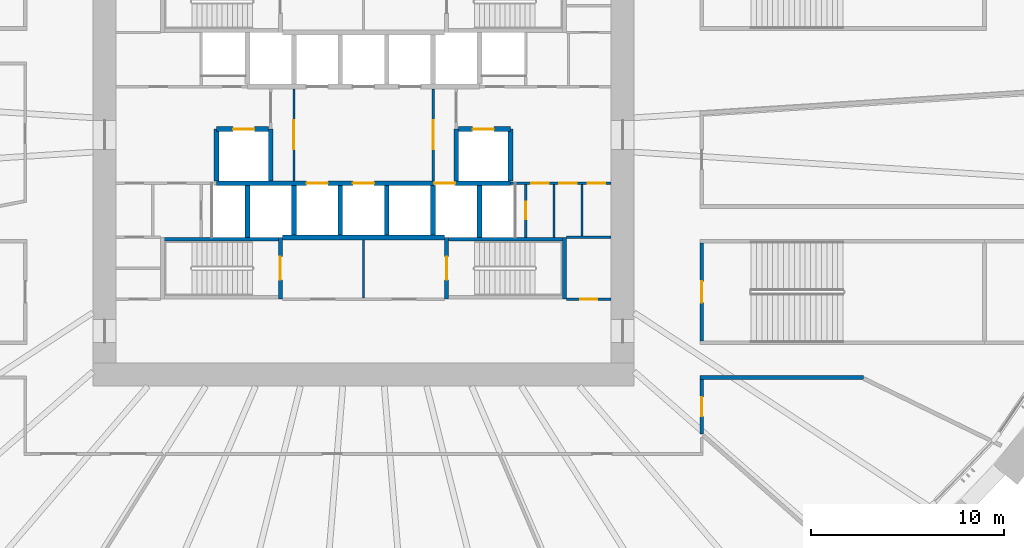
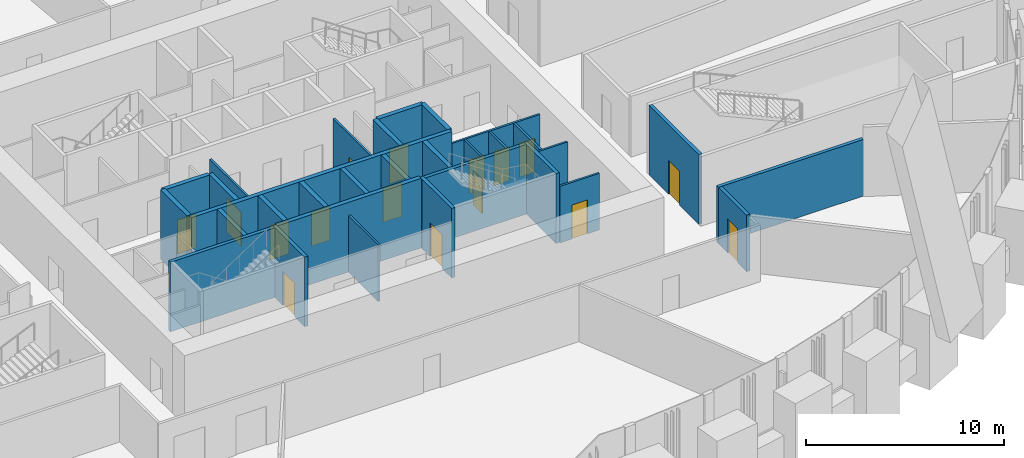
# One storey, part 7 of 21: 31 walls, 16 doors, 16 openings.
"""IFC4 building model written with IfcOpenShell, lengths in metres."""

from ifc_helpers import new_model, si_unit, direction, frame, frame_2d, origin, place, context, subcontext, project, spatial, rectangle, extrude, source, transform, mapped, material, layer, layer_set, type_object, element, fill, save


model = new_model("IFC4")

# Units and contexts
model_context = context("Model", 3, precision=1e-05, world=origin(), true_north=direction((0.0, 1.0)))
body_context = subcontext(model_context, "Body", "Model", "MODEL_VIEW")
ifc_project = project(units=[si_unit("LENGTHUNIT", "METRE"), si_unit("AREAUNIT", "SQUARE_METRE"), si_unit("VOLUMEUNIT", "CUBIC_METRE"), si_unit("PLANEANGLEUNIT", "RADIAN"), si_unit("MASSUNIT", "GRAM", prefix="KILO")], contexts=[model_context])

# Site, building, storey
site_placement = place(None, origin())
site = spatial("IfcSite", under=ifc_project, at=site_placement, CompositionType="ELEMENT")
building_placement = place(site_placement, origin())
building = spatial("IfcBuilding", under=site, at=building_placement, Name="Embergate Tower", CompositionType="ELEMENT")
storey_placement = place(building_placement, frame((0.0, 0.0, 33.5)))
storey = spatial("IfcBuildingStorey", under=building, at=storey_placement, Name="L04", CompositionType="ELEMENT", Elevation=33.5)

# Walls
ifc_material_1 = material(Name="Concrete C50", Category="concrete")
ifc_layer_1 = layer(ifc_material_1, 0.25)
ifc_layer_set_1 = layer_set([ifc_layer_1], Name="Concrete C50")
wall_type_1 = type_object("IfcWallType", Name="Hoistway wall reinforced concrete 250", PredefinedType="SHEAR", material=ifc_layer_set_1)
shared_shape_1 = source(origin(), body_context, "Body", "SweptSolid", [
    extrude(rectangle(XDim=2.675048828125, YDim=0.25, at=frame_2d((1.33740234375, 0.0))), origin(), (0.0, 0.0, 1.0), 4.300048828125),
])
for number, where, z_axis, x_axis, name in (
    (1, (-6.0, -5.300048828125, 0.0), (0.0, 0.0, 1.0), (0.0, 1.0, 0.0), "HW-1 wall"),
    (2, (6.0, -5.300048828125, 0.0), (0.0, 0.0, 1.0), (0.0, 1.0, 0.0), "HW-1 wall"),
    (3, (-4.800048828125, 0.300048828125, 0.0), (0.0, 0.0, 1.0), (0.0, -1.0, 0.0), "HW-1 wall"),
    (4, (4.800048828125, -2.375, 0.0), (0.0, 0.0, 1.0), (0.0, 1.0, 0.0), "HW-1 wall"),
):
    element("IfcWall", number, at=place(storey_placement, frame(where, z_axis=z_axis, x_axis=x_axis)), inside=storey, type_object=wall_type_1, Name=name, PredefinedType="SHEAR", context=body_context, shape_type="MappedRepresentation", body=[
        mapped(shared_shape_1, transform((0.0, 0.0, 0.0))),
    ])

# Wall, opening, door
wall_1_placement = place(storey_placement, frame((-4.925048828125, 0.300048828125, 0.0), z_axis=(0.0, 0.0, 1.0), x_axis=(-1.0, 0.0, 0.0)))
wall_1 = element("IfcWall", 5, at=wall_1_placement, inside=storey, type_object=wall_type_1, Name="HW-1 wall", PredefinedType="SHEAR", context=body_context, shape_type="MappedRepresentation", body=[
    mapped(shared_shape_1, transform((0.0, 0.0, 0.0))),
])
shared_shape_2 = source(origin(), body_context, "Body", "SweptSolid", [
    extrude(rectangle(XDim=1.10009765625, YDim=2.10009765625, at=frame_2d((0.550048828125, 1.050048828125))), frame((0.0, 0.135009765625, 0.0), z_axis=(0.0, -1.0, 0.0), x_axis=(1.0, 0.0, 0.0)), (0.0, 0.0, 1.0), 0.27001953125),
])
opening_1_placement = place(wall_1_placement, frame((0.72509765625, 0.0, 0.0)))
opening_1 = element("IfcOpeningElement", 6, at=opening_1_placement, cuts=wall_1, Name="Opening LD", PredefinedType="OPENING", context=body_context, shape_type="MappedRepresentation", body=[
    mapped(shared_shape_2, transform((0.0, 0.0, 0.0))),
])
ifc_material_2 = material(Name="Landing door sliding 1100")
door_type_1 = type_object("IfcDoorType", Name="Landing door sliding 1100", OperationType="SLIDING_TO_LEFT", PredefinedType="DOOR", material=ifc_material_2)
shared_shape_3 = source(origin(), body_context, "Body", "SweptSolid", [
    extrude(rectangle(XDim=1.10009765625, YDim=2.10009765625, at=frame_2d((0.550048828125, 1.050048828125))), frame((0.0, 0.02490234375, 0.0), z_axis=(0.0, -1.0, 0.0), x_axis=(1.0, 0.0, 0.0)), (0.0, 0.0, 1.0), 0.050048828125),
])
door_1_placement = place(opening_1_placement, origin())
door_1 = element("IfcDoor", 7, at=door_1_placement, inside=storey, type_object=door_type_1, Name="LD door", OperationType="SLIDING_TO_LEFT", OverallHeight=2.10009765625, OverallWidth=1.10009765625, PredefinedType="DOOR", context=body_context, shape_type="MappedRepresentation", body=[
    mapped(shared_shape_3, transform((0.0, 0.0, 0.0))),
])
fill(opening_1, door_1)

# Wall
wall_2_placement = place(storey_placement, frame((-7.60009765625, 0.300048828125, 0.0), z_axis=(0.0, 0.0, 1.0), x_axis=(0.0, -1.0, 0.0)))
element("IfcWall", 8, at=wall_2_placement, inside=storey, type_object=wall_type_1, Name="HW-1 wall", PredefinedType="SHEAR", context=body_context, shape_type="MappedRepresentation", body=[
    mapped(shared_shape_1, transform((0.0, 0.0, 0.0))),
])

# Wall, opening, door
wall_3_placement = place(storey_placement, frame((7.60009765625, 0.300048828125, 0.0), z_axis=(0.0, 0.0, 1.0), x_axis=(-1.0, 0.0, 0.0)))
wall_3 = element("IfcWall", 9, at=wall_3_placement, inside=storey, type_object=wall_type_1, Name="HW-1 wall", PredefinedType="SHEAR", context=body_context, shape_type="MappedRepresentation", body=[
    mapped(shared_shape_1, transform((0.0, 0.0, 0.0))),
])
opening_2_placement = place(wall_3_placement, frame((0.85009765625, 0.0, 0.0)))
opening_2 = element("IfcOpeningElement", 10, at=opening_2_placement, cuts=wall_3, Name="Opening LD", PredefinedType="OPENING", context=body_context, shape_type="MappedRepresentation", body=[
    mapped(shared_shape_2, transform((0.0, 0.0, 0.0))),
])
door_2_placement = place(opening_2_placement, origin())
door_2 = element("IfcDoor", 11, at=door_2_placement, inside=storey, type_object=door_type_1, Name="LD door", OperationType="SLIDING_TO_LEFT", OverallHeight=2.10009765625, OverallWidth=1.10009765625, PredefinedType="DOOR", context=body_context, shape_type="MappedRepresentation", body=[
    mapped(shared_shape_3, transform((0.0, 0.0, 0.0))),
])
fill(opening_2, door_2)

# Walls
wall_4_placement = place(storey_placement, frame((7.60009765625, -2.375, 0.0), z_axis=(0.0, 0.0, 1.0), x_axis=(0.0, 1.0, 0.0)))
element("IfcWall", 12, at=wall_4_placement, inside=storey, type_object=wall_type_1, Name="HW-1 wall", PredefinedType="SHEAR", context=body_context, shape_type="MappedRepresentation", body=[
    mapped(shared_shape_1, transform((0.0, 0.0, 0.0))),
])
ifc_layer_2 = layer(ifc_material_1, 0.199951171875)
ifc_layer_set_2 = layer_set([ifc_layer_2], Name="Concrete C50")
wall_type_2 = type_object("IfcWallType", Name="Stair enclosure wall reinforced concrete 250", PredefinedType="SHEAR", material=ifc_layer_set_2)
shared_shape_4 = source(origin(), body_context, "Body", "SweptSolid", [
    extrude(rectangle(XDim=6.300048828125, YDim=0.199951171875, at=frame_2d((3.14990234375, 0.0))), origin(), (0.0, 0.0, 1.0), 4.300048828125),
])
for number, where, z_axis, x_axis, name in (
    (13, (-10.5, -5.39990234375, 0.0), (0.0, 0.0, 1.0), (1.0, 0.0, 0.0), "SE-1 wall"),
    (14, (4.199951171875, -5.39990234375, 0.0), (0.0, 0.0, 1.0), (1.0, 0.0, 0.0), "SE-1 wall"),
):
    element("IfcWall", number, at=place(storey_placement, frame(where, z_axis=z_axis, x_axis=x_axis)), inside=storey, type_object=wall_type_2, Name=name, PredefinedType="SHEAR", context=body_context, shape_type="MappedRepresentation", body=[
        mapped(shared_shape_4, transform((0.0, 0.0, 0.0))),
    ])

# Wall, opening, door
ifc_material_3 = material(Name="Core partition blockwork 120")
ifc_layer_3 = layer(ifc_material_3, 0.1201171875)
ifc_layer_set_3 = layer_set([ifc_layer_3], Name="Core partition blockwork 120")
wall_type_3 = type_object("IfcWallType", Name="Core partition blockwork 120", PredefinedType="PARTITIONING", material=ifc_layer_set_3)
shared_shape_5 = source(origin(), body_context, "Body", "SweptSolid", [
    extrude(rectangle(XDim=2.739990234375, YDim=0.1201171875, at=frame_2d((1.3701171875, 0.0))), origin(), (0.0, 0.0, 1.0), 3.5),
])
wall_5_placement = place(storey_placement, frame((8.39990234375, -5.300048828125, 0.0), z_axis=(0.0, 0.0, 1.0), x_axis=(0.0, 1.0, 0.0)))
wall_5 = element("IfcWall", 15, at=wall_5_placement, inside=storey, type_object=wall_type_3, Name="IP-3 wall", PredefinedType="PARTITIONING", context=body_context, shape_type="MappedRepresentation", body=[
    mapped(shared_shape_5, transform((0.0, 0.0, 0.0))),
])
shared_shape_6 = source(origin(), body_context, "Body", "SweptSolid", [
    extrude(rectangle(XDim=0.89990234375, YDim=2.10009765625, at=frame_2d((0.449951171875, 1.050048828125))), frame((0.0, 0.070068359375, 0.0), z_axis=(0.0, -1.0, 0.0), x_axis=(1.0, 0.0, 0.0)), (0.0, 0.0, 1.0), 0.14013671875),
])
opening_3_placement = place(wall_5_placement, frame((0.949951171875, 0.0, 0.0)))
opening_3 = element("IfcOpeningElement", 16, at=opening_3_placement, cuts=wall_5, Name="Opening ID-1", PredefinedType="OPENING", context=body_context, shape_type="MappedRepresentation", body=[
    mapped(shared_shape_6, transform((0.0, 0.0, 0.0))),
])
ifc_material_4 = material(Name="Interior door 900")
door_type_2 = type_object("IfcDoorType", Name="Interior door 900", OperationType="SINGLE_SWING_LEFT", PredefinedType="DOOR", material=ifc_material_4)
shared_shape_7 = source(origin(), body_context, "Body", "SweptSolid", [
    extrude(rectangle(XDim=0.89990234375, YDim=2.10009765625, at=frame_2d((0.449951171875, 1.050048828125))), frame((0.0, 0.02490234375, 0.0), z_axis=(0.0, -1.0, 0.0), x_axis=(1.0, 0.0, 0.0)), (0.0, 0.0, 1.0), 0.050048828125),
])
door_3_placement = place(opening_3_placement, origin())
door_3 = element("IfcDoor", 17, at=door_3_placement, inside=storey, type_object=door_type_2, Name="ID-1 door", OperationType="SINGLE_SWING_RIGHT", OverallHeight=2.10009765625, OverallWidth=0.89990234375, PredefinedType="DOOR", context=body_context, shape_type="MappedRepresentation", body=[
    mapped(shared_shape_7, transform((0.0, 0.0, 0.0))),
])
fill(opening_3, door_3)

# Walls
wall_6_placement = place(storey_placement, frame((9.85205078125, -5.300048828125, 0.0), z_axis=(0.0, 0.0, 1.0), x_axis=(0.0, 1.0, 0.0)))
element("IfcWall", 18, at=wall_6_placement, inside=storey, type_object=wall_type_3, Name="IP-3 wall", PredefinedType="PARTITIONING", context=body_context, shape_type="MappedRepresentation", body=[
    mapped(shared_shape_5, transform((0.0, 0.0, 0.0))),
])
shared_shape_8 = source(origin(), body_context, "Body", "SweptSolid", [
    extrude(rectangle(XDim=2.550048828125, YDim=0.25, at=frame_2d((1.27490234375, 0.0))), origin(), (0.0, 0.0, 1.0), 4.300048828125),
])
for number, where, z_axis, x_axis, name in (
    (19, (-3.60009765625, -5.175048828125, 0.0), (0.0, 0.0, 1.0), (0.0, 1.0, 0.0), "HW-1 wall"),
    (20, (-1.199951171875, -5.175048828125, 0.0), (0.0, 0.0, 1.0), (0.0, 1.0, 0.0), "HW-1 wall"),
    (21, (1.199951171875, -5.175048828125, 0.0), (0.0, 0.0, 1.0), (0.0, 1.0, 0.0), "HW-1 wall"),
    (22, (3.60009765625, -5.175048828125, 0.0), (0.0, 0.0, 1.0), (0.0, 1.0, 0.0), "HW-1 wall"),
):
    element("IfcWall", number, at=place(storey_placement, frame(where, z_axis=z_axis, x_axis=x_axis)), inside=storey, type_object=wall_type_1, Name=name, PredefinedType="SHEAR", context=body_context, shape_type="MappedRepresentation", body=[
        mapped(shared_shape_8, transform((0.0, 0.0, 0.0))),
    ])
shared_shape_9 = source(origin(), body_context, "Body", "SweptSolid", [
    extrude(rectangle(XDim=8.39990234375, YDim=0.25, at=frame_2d((4.199951171875, 0.0))), origin(), (0.0, 0.0, 1.0), 4.300048828125),
])
wall_7_placement = place(storey_placement, frame((-4.199951171875, -5.300048828125, 0.0), z_axis=(0.0, 0.0, 1.0), x_axis=(1.0, 0.0, 0.0)))
element("IfcWall", 23, at=wall_7_placement, inside=storey, type_object=wall_type_1, Name="HW-1 wall", PredefinedType="SHEAR", context=body_context, shape_type="MappedRepresentation", body=[
    mapped(shared_shape_9, transform((0.0, 0.0, 0.0))),
])

# Wall, openings, doors
shared_shape_10 = source(origin(), body_context, "Body", "SweptSolid", [
    extrude(rectangle(XDim=15.2001953125, YDim=0.25, at=frame_2d((7.60009765625, 0.0))), origin(), (0.0, 0.0, 1.0), 4.300048828125),
])
wall_8_placement = place(storey_placement, frame((7.60009765625, -2.5, 0.0), z_axis=(0.0, 0.0, 1.0), x_axis=(-1.0, 0.0, 0.0)))
wall_8 = element("IfcWall", 24, at=wall_8_placement, inside=storey, type_object=wall_type_1, Name="HW-1 wall", PredefinedType="SHEAR", context=body_context, shape_type="MappedRepresentation", body=[
    mapped(shared_shape_10, transform((0.0, 0.0, 0.0))),
])
opening_4_placement = place(wall_8_placement, frame((9.449951171875, 0.0, 0.0)))
opening_4 = element("IfcOpeningElement", 25, at=opening_4_placement, cuts=wall_8, Name="Opening LD", PredefinedType="OPENING", context=body_context, shape_type="MappedRepresentation", body=[
    mapped(shared_shape_2, transform((0.0, 0.0, 0.0))),
])
opening_5_placement = place(wall_8_placement, frame((7.050048828125, 0.0, 0.0)))
opening_5 = element("IfcOpeningElement", 26, at=opening_5_placement, cuts=wall_8, Name="Opening LD", PredefinedType="OPENING", context=body_context, shape_type="MappedRepresentation", body=[
    mapped(shared_shape_2, transform((0.0, 0.0, 0.0))),
])
opening_6_placement = place(wall_8_placement, frame((2.85009765625, 0.0, 0.0)))
opening_6 = element("IfcOpeningElement", 27, at=opening_6_placement, cuts=wall_8, Name="Opening LD", PredefinedType="OPENING", context=body_context, shape_type="MappedRepresentation", body=[
    mapped(shared_shape_2, transform((0.0, 0.0, 0.0))),
])
door_4_placement = place(opening_4_placement, origin())
door_4 = element("IfcDoor", 28, at=door_4_placement, inside=storey, type_object=door_type_1, Name="LD door", OperationType="SLIDING_TO_RIGHT", OverallHeight=2.10009765625, OverallWidth=1.10009765625, PredefinedType="DOOR", context=body_context, shape_type="MappedRepresentation", body=[
    mapped(shared_shape_3, transform((0.0, 0.0, 0.0))),
])
fill(opening_4, door_4)
door_5_placement = place(opening_5_placement, origin())
door_5 = element("IfcDoor", 29, at=door_5_placement, inside=storey, type_object=door_type_1, Name="LD door", OperationType="SLIDING_TO_RIGHT", OverallHeight=2.10009765625, OverallWidth=1.10009765625, PredefinedType="DOOR", context=body_context, shape_type="MappedRepresentation", body=[
    mapped(shared_shape_3, transform((0.0, 0.0, 0.0))),
])
fill(opening_5, door_5)
door_6_placement = place(opening_6_placement, origin())
door_6 = element("IfcDoor", 30, at=door_6_placement, inside=storey, type_object=door_type_1, Name="LD door", OperationType="SLIDING_TO_LEFT", OverallHeight=2.10009765625, OverallWidth=1.10009765625, PredefinedType="DOOR", context=body_context, shape_type="MappedRepresentation", body=[
    mapped(shared_shape_3, transform((0.0, 0.0, 0.0))),
])
fill(opening_6, door_6)

shared_shape_11 = source(origin(), body_context, "Body", "SweptSolid", [
    extrude(rectangle(XDim=5.199951171875, YDim=0.1201171875, at=frame_2d((2.60009765625, 0.0))), origin(), (0.0, 0.0, 1.0), 3.5),
])
wall_9_placement = place(storey_placement, frame((12.800048828125, -2.5, 0.0), z_axis=(0.0, 0.0, 1.0), x_axis=(-1.0, 0.0, 0.0)))
wall_9 = element("IfcWall", 31, at=wall_9_placement, inside=storey, type_object=wall_type_3, Name="IP-3 wall", PredefinedType="PARTITIONING", context=body_context, shape_type="MappedRepresentation", body=[
    mapped(shared_shape_11, transform((0.0, 0.0, 0.0))),
])
opening_7_placement = place(wall_9_placement, frame((3.22412109375, 0.0, 0.0)))
opening_7 = element("IfcOpeningElement", 32, at=opening_7_placement, cuts=wall_9, Name="Opening ID-1", PredefinedType="OPENING", context=body_context, shape_type="MappedRepresentation", body=[
    mapped(shared_shape_6, transform((0.0, 0.0, 0.0))),
])
opening_8_placement = place(wall_9_placement, frame((1.77197265625, 0.0, 0.0)))
opening_8 = element("IfcOpeningElement", 33, at=opening_8_placement, cuts=wall_9, Name="Opening ID-1", PredefinedType="OPENING", context=body_context, shape_type="MappedRepresentation", body=[
    mapped(shared_shape_6, transform((0.0, 0.0, 0.0))),
])
opening_9_placement = place(wall_9_placement, frame((0.298095703125, 0.0, 0.0)))
opening_9 = element("IfcOpeningElement", 34, at=opening_9_placement, cuts=wall_9, Name="Opening ID-1", PredefinedType="OPENING", context=body_context, shape_type="MappedRepresentation", body=[
    mapped(shared_shape_6, transform((0.0, 0.0, 0.0))),
])
door_7_placement = place(opening_7_placement, origin())
door_7 = element("IfcDoor", 35, at=door_7_placement, inside=storey, type_object=door_type_2, Name="ID-1 door", OperationType="SINGLE_SWING_RIGHT", OverallHeight=2.10009765625, OverallWidth=0.89990234375, PredefinedType="DOOR", context=body_context, shape_type="MappedRepresentation", body=[
    mapped(shared_shape_7, transform((0.0, 0.0, 0.0))),
])
fill(opening_7, door_7)
door_8_placement = place(opening_8_placement, origin())
door_8 = element("IfcDoor", 36, at=door_8_placement, inside=storey, type_object=door_type_2, Name="ID-1 door", OperationType="SINGLE_SWING_RIGHT", OverallHeight=2.10009765625, OverallWidth=0.89990234375, PredefinedType="DOOR", context=body_context, shape_type="MappedRepresentation", body=[
    mapped(shared_shape_7, transform((0.0, 0.0, 0.0))),
])
fill(opening_8, door_8)
door_9_placement = place(opening_9_placement, origin())
door_9 = element("IfcDoor", 37, at=door_9_placement, inside=storey, type_object=door_type_2, Name="ID-1 door", OperationType="SINGLE_SWING_LEFT", OverallHeight=2.10009765625, OverallWidth=0.89990234375, PredefinedType="DOOR", context=body_context, shape_type="MappedRepresentation", body=[
    mapped(shared_shape_7, transform((0.0, 0.0, 0.0))),
])
fill(opening_9, door_9)

# Wall, opening, door
shared_shape_12 = source(origin(), body_context, "Body", "SweptSolid", [
    extrude(rectangle(XDim=4.75, YDim=0.1201171875, at=frame_2d((2.375, 0.0))), origin(), (0.0, 0.0, 1.0), 3.5),
])
wall_10_placement = place(storey_placement, frame((-3.60009765625, -2.375, 0.0), z_axis=(0.0, 0.0, 1.0), x_axis=(0.0, 1.0, 0.0)))
wall_10 = element("IfcWall", 38, at=wall_10_placement, inside=storey, type_object=wall_type_3, Name="IP-3 wall", PredefinedType="PARTITIONING", context=body_context, shape_type="MappedRepresentation", body=[
    mapped(shared_shape_12, transform((0.0, 0.0, 0.0))),
])
shared_shape_13 = source(origin(), body_context, "Body", "SweptSolid", [
    extrude(rectangle(XDim=1.5, YDim=2.10009765625, at=frame_2d((0.75, 1.050048828125))), frame((0.0, 0.070068359375, 0.0), z_axis=(0.0, -1.0, 0.0), x_axis=(1.0, 0.0, 0.0)), (0.0, 0.0, 1.0), 0.14013671875),
])
opening_10_placement = place(wall_10_placement, frame((1.625, 0.0, 0.0)))
opening_10 = element("IfcOpeningElement", 39, at=opening_10_placement, cuts=wall_10, Name="Opening IF-3", PredefinedType="OPENING", context=body_context, shape_type="MappedRepresentation", body=[
    mapped(shared_shape_13, transform((0.0, 0.0, 0.0))),
])
ifc_material_5 = material(Name="Lobby fire door pair 1500")
door_type_3 = type_object("IfcDoorType", Name="Lobby fire door pair 1500", OperationType="DOUBLE_DOOR_SINGLE_SWING", PredefinedType="DOOR", material=ifc_material_5)
shared_shape_14 = source(origin(), body_context, "Body", "SweptSolid", [
    extrude(rectangle(XDim=1.5, YDim=2.10009765625, at=frame_2d((0.75, 1.050048828125))), frame((0.0, 0.02490234375, 0.0), z_axis=(0.0, -1.0, 0.0), x_axis=(1.0, 0.0, 0.0)), (0.0, 0.0, 1.0), 0.050048828125),
])
door_10_placement = place(opening_10_placement, origin())
door_10 = element("IfcDoor", 40, at=door_10_placement, inside=storey, type_object=door_type_3, Name="IF-3 door", OperationType="DOUBLE_DOOR_SINGLE_SWING", OverallHeight=2.10009765625, OverallWidth=1.5, PredefinedType="DOOR", context=body_context, shape_type="MappedRepresentation", body=[
    mapped(shared_shape_14, transform((0.0, 0.0, 0.0))),
])
fill(opening_10, door_10)

wall_11_placement = place(storey_placement, frame((3.60009765625, -2.375, 0.0), z_axis=(0.0, 0.0, 1.0), x_axis=(0.0, 1.0, 0.0)))
wall_11 = element("IfcWall", 41, at=wall_11_placement, inside=storey, type_object=wall_type_3, Name="IP-3 wall", PredefinedType="PARTITIONING", context=body_context, shape_type="MappedRepresentation", body=[
    mapped(shared_shape_12, transform((0.0, 0.0, 0.0))),
])
opening_11_placement = place(wall_11_placement, frame((1.625, 0.0, 0.0)))
opening_11 = element("IfcOpeningElement", 42, at=opening_11_placement, cuts=wall_11, Name="Opening IF-3", PredefinedType="OPENING", context=body_context, shape_type="MappedRepresentation", body=[
    mapped(shared_shape_13, transform((0.0, 0.0, 0.0))),
])
door_11_placement = place(opening_11_placement, origin())
door_11 = element("IfcDoor", 43, at=door_11_placement, inside=storey, type_object=door_type_3, Name="IF-3 door", OperationType="DOUBLE_DOOR_SINGLE_SWING", OverallHeight=2.10009765625, OverallWidth=1.5, PredefinedType="DOOR", context=body_context, shape_type="MappedRepresentation", body=[
    mapped(shared_shape_14, transform((0.0, 0.0, 0.0))),
])
fill(opening_11, door_11)

shared_shape_15 = source(origin(), body_context, "Body", "SweptSolid", [
    extrude(rectangle(XDim=3.199951171875, YDim=0.199951171875, at=frame_2d((1.60009765625, 0.0))), origin(), (0.0, 0.0, 1.0), 4.300048828125),
])
wall_12_placement = place(storey_placement, frame((-4.300048828125, -8.5, 0.0), z_axis=(0.0, 0.0, 1.0), x_axis=(0.0, 1.0, 0.0)))
wall_12 = element("IfcWall", 44, at=wall_12_placement, inside=storey, type_object=wall_type_2, Name="SE-1 wall", PredefinedType="SHEAR", context=body_context, shape_type="MappedRepresentation", body=[
    mapped(shared_shape_15, transform((0.0, 0.0, 0.0))),
])
shared_shape_16 = source(origin(), body_context, "Body", "SweptSolid", [
    extrude(rectangle(XDim=1.199951171875, YDim=2.10009765625, at=frame_2d((0.60009765625, 1.050048828125))), frame((0.0, 0.10986328125, 0.0), z_axis=(0.0, -1.0, 0.0), x_axis=(1.0, 0.0, 0.0)), (0.0, 0.0, 1.0), 0.219970703125),
])
opening_12_placement = place(wall_12_placement, frame((1.0, 0.0, 0.0)))
opening_12 = element("IfcOpeningElement", 45, at=opening_12_placement, cuts=wall_12, Name="Opening IF-2", PredefinedType="OPENING", context=body_context, shape_type="MappedRepresentation", body=[
    mapped(shared_shape_16, transform((0.0, 0.0, 0.0))),
])
ifc_material_6 = material(Name="Stair enclosure door 1200")
door_type_4 = type_object("IfcDoorType", Name="Stair enclosure door 1200", OperationType="SINGLE_SWING_LEFT", PredefinedType="DOOR", material=ifc_material_6)
shared_shape_17 = source(origin(), body_context, "Body", "SweptSolid", [
    extrude(rectangle(XDim=1.199951171875, YDim=2.10009765625, at=frame_2d((0.60009765625, 1.050048828125))), frame((0.0, 0.02490234375, 0.0), z_axis=(0.0, -1.0, 0.0), x_axis=(1.0, 0.0, 0.0)), (0.0, 0.0, 1.0), 0.050048828125),
])
door_12_placement = place(opening_12_placement, origin())
door_12 = element("IfcDoor", 46, at=door_12_placement, inside=storey, type_object=door_type_4, Name="IF-2 door", OperationType="SINGLE_SWING_RIGHT", OverallHeight=2.10009765625, OverallWidth=1.199951171875, PredefinedType="DOOR", context=body_context, shape_type="MappedRepresentation", body=[
    mapped(shared_shape_17, transform((0.0, 0.0, 0.0))),
])
fill(opening_12, door_12)

wall_13_placement = place(storey_placement, frame((4.300048828125, -5.300048828125, 0.0), z_axis=(0.0, 0.0, 1.0), x_axis=(0.0, -1.0, 0.0)))
wall_13 = element("IfcWall", 47, at=wall_13_placement, inside=storey, type_object=wall_type_2, Name="SE-1 wall", PredefinedType="SHEAR", context=body_context, shape_type="MappedRepresentation", body=[
    mapped(shared_shape_15, transform((0.0, 0.0, 0.0))),
])
opening_13_placement = place(wall_13_placement, frame((1.0, 0.0, 0.0)))
opening_13 = element("IfcOpeningElement", 48, at=opening_13_placement, cuts=wall_13, Name="Opening IF-2", PredefinedType="OPENING", context=body_context, shape_type="MappedRepresentation", body=[
    mapped(shared_shape_16, transform((0.0, 0.0, 0.0))),
])
door_13_placement = place(opening_13_placement, origin())
door_13 = element("IfcDoor", 49, at=door_13_placement, inside=storey, type_object=door_type_4, Name="IF-2 door", OperationType="SINGLE_SWING_LEFT", OverallHeight=2.10009765625, OverallWidth=1.199951171875, PredefinedType="DOOR", context=body_context, shape_type="MappedRepresentation", body=[
    mapped(shared_shape_17, transform((0.0, 0.0, 0.0))),
])
fill(opening_13, door_13)

# Walls
wall_14_placement = place(storey_placement, frame((10.39990234375, -8.5, 0.0), z_axis=(0.0, 0.0, 1.0), x_axis=(0.0, 1.0, 0.0)))
element("IfcWall", 50, at=wall_14_placement, inside=storey, type_object=wall_type_2, Name="SE-1 wall", PredefinedType="SHEAR", context=body_context, shape_type="MappedRepresentation", body=[
    mapped(shared_shape_15, transform((0.0, 0.0, 0.0))),
])
shared_shape_18 = source(origin(), body_context, "Body", "SweptSolid", [
    extrude(rectangle(XDim=3.014892578125, YDim=0.1201171875, at=frame_2d((1.50732421875, 0.0))), origin(), (0.0, 0.0, 1.0), 3.5),
])
wall_15_placement = place(storey_placement, frame((0.0, -8.43994140625, 0.0), z_axis=(0.0, 0.0, 1.0), x_axis=(0.0, 1.0, 0.0)))
element("IfcWall", 51, at=wall_15_placement, inside=storey, type_object=wall_type_3, Name="IP-3 wall", PredefinedType="PARTITIONING", context=body_context, shape_type="MappedRepresentation", body=[
    mapped(shared_shape_18, transform((0.0, 0.0, 0.0))),
])

# Wall, opening, door
shared_shape_19 = source(origin(), body_context, "Body", "SweptSolid", [
    extrude(rectangle(XDim=2.300048828125, YDim=0.1201171875, at=frame_2d((1.14990234375, 0.0))), origin(), (0.0, 0.0, 1.0), 3.5),
])
wall_16_placement = place(storey_placement, frame((12.800048828125, -8.5, 0.0), z_axis=(0.0, 0.0, 1.0), x_axis=(-1.0, 0.0, 0.0)))
wall_16 = element("IfcWall", 52, at=wall_16_placement, inside=storey, type_object=wall_type_3, Name="IP-3 wall", PredefinedType="PARTITIONING", context=body_context, shape_type="MappedRepresentation", body=[
    mapped(shared_shape_19, transform((0.0, 0.0, 0.0))),
])
opening_14_placement = place(wall_16_placement, frame((0.699951171875, 0.0, 0.0)))
opening_14 = element("IfcOpeningElement", 53, at=opening_14_placement, cuts=wall_16, Name="Opening ID-1", PredefinedType="OPENING", context=body_context, shape_type="MappedRepresentation", body=[
    mapped(shared_shape_6, transform((0.0, 0.0, 0.0))),
])
door_14_placement = place(opening_14_placement, origin())
door_14 = element("IfcDoor", 54, at=door_14_placement, inside=storey, type_object=door_type_2, Name="ID-1 door", OperationType="SINGLE_SWING_RIGHT", OverallHeight=2.10009765625, OverallWidth=0.89990234375, PredefinedType="DOOR", context=body_context, shape_type="MappedRepresentation", body=[
    mapped(shared_shape_7, transform((0.0, 0.0, 0.0))),
])
fill(opening_14, door_14)

# Walls
wall_17_placement = place(storey_placement, frame((10.5, -5.300048828125, 0.0), z_axis=(0.0, 0.0, 1.0), x_axis=(1.0, 0.0, 0.0)))
element("IfcWall", 55, at=wall_17_placement, inside=storey, type_object=wall_type_3, Name="IP-3 wall", PredefinedType="PARTITIONING", context=body_context, shape_type="MappedRepresentation", body=[
    mapped(shared_shape_19, transform((0.0, 0.0, 0.0))),
])
shared_shape_20 = source(origin(), body_context, "Body", "SweptSolid", [
    extrude(rectangle(XDim=2.679931640625, YDim=0.1201171875, at=frame_2d((1.33984375, 0.0))), origin(), (0.0, 0.0, 1.0), 3.5),
])
wall_18_placement = place(storey_placement, frame((11.303955078125, -5.239990234375, 0.0), z_axis=(0.0, 0.0, 1.0), x_axis=(0.0, 1.0, 0.0)))
element("IfcWall", 56, at=wall_18_placement, inside=storey, type_object=wall_type_3, Name="IP-3 wall", PredefinedType="PARTITIONING", context=body_context, shape_type="MappedRepresentation", body=[
    mapped(shared_shape_20, transform((0.0, 0.0, 0.0))),
])

# Wall, opening, door
ifc_material_7 = material(Name="Concrete C40", Category="concrete")
ifc_layer_4 = layer(ifc_material_7, 0.199951171875)
ifc_layer_set_4 = layer_set([ifc_layer_4], Name="Concrete C40")
wall_type_4 = type_object("IfcWallType", Name="Stair enclosure wall RC 200", PredefinedType="STANDARD", material=ifc_layer_set_4)
shared_shape_21 = source(origin(), body_context, "Body", "SweptSolid", [
    extrude(rectangle(XDim=5.0498046875, YDim=0.199951171875, at=frame_2d((2.52490234375, 0.0))), origin(), (0.0, 0.0, 1.0), 4.300048828125),
])
wall_19_placement = place(storey_placement, frame((17.5, -5.60009765625, 0.0), z_axis=(0.0, 0.0, 1.0), x_axis=(0.0, -1.0, 0.0)))
wall_19 = element("IfcWall", 57, at=wall_19_placement, inside=storey, type_object=wall_type_4, Name="Stair wall 039", PredefinedType="STANDARD", context=body_context, shape_type="MappedRepresentation", body=[
    mapped(shared_shape_21, transform((0.0, 0.0, 0.0))),
])
shared_shape_22 = source(origin(), body_context, "Body", "SweptSolid", [
    extrude(rectangle(XDim=1.10009765625, YDim=2.10009765625, at=frame_2d((0.550048828125, 1.050048828125))), frame((0.0, 0.10986328125, 0.0), z_axis=(0.0, -1.0, 0.0), x_axis=(1.0, 0.0, 0.0)), (0.0, 0.0, 1.0), 0.219970703125),
])
opening_15_placement = place(wall_19_placement, frame((1.97509765625, 0.0, 0.0)))
opening_15 = element("IfcOpeningElement", 58, at=opening_15_placement, cuts=wall_19, Name="Opening DS-101", PredefinedType="OPENING", context=body_context, shape_type="MappedRepresentation", body=[
    mapped(shared_shape_22, transform((0.0, 0.0, 0.0))),
])
ifc_material_8 = material(Name="Steel fire door leaf", Category="steel")
door_type_5 = type_object("IfcDoorType", Name="Fire door class B 1100x2100", OperationType="SINGLE_SWING_LEFT", PredefinedType="DOOR", material=ifc_material_8)
shared_shape_23 = source(origin(), body_context, "Body", "SweptSolid", [
    extrude(rectangle(XDim=1.10009765625, YDim=2.10009765625, at=frame_2d((0.550048828125, 1.050048828125))), frame((0.0, 0.02490234375, 0.0), z_axis=(0.0, -1.0, 0.0), x_axis=(1.0, 0.0, 0.0)), (0.0, 0.0, 1.0), 0.050048828125),
])
door_15_placement = place(opening_15_placement, origin())
door_15 = element("IfcDoor", 59, at=door_15_placement, inside=storey, type_object=door_type_5, Name="Door to Exit stair enclosure", OperationType="SINGLE_SWING_LEFT", OverallHeight=2.10009765625, OverallWidth=1.10009765625, PredefinedType="DOOR", context=body_context, shape_type="MappedRepresentation", body=[
    mapped(shared_shape_23, transform((0.0, 0.0, 0.0))),
])
fill(opening_15, door_15)

ifc_material_9 = material(Name="Blockwork, plastered", Category="masonry")
ifc_layer_5 = layer(ifc_material_9, 0.199951171875)
ifc_layer_set_5 = layer_set([ifc_layer_5], Name="Blockwork, plastered")
wall_type_5 = type_object("IfcWallType", Name="Partition wall 200 block", PredefinedType="PARTITIONING", material=ifc_layer_set_5)
shared_shape_24 = source(origin(), body_context, "Body", "SweptSolid", [
    extrude(rectangle(XDim=2.8330078125, YDim=0.199951171875, at=frame_2d((1.41650390625, 0.0))), origin(), (0.0, 0.0, 1.0), 3.5),
])
wall_20_placement = place(storey_placement, frame((17.5, -12.64990234375, 0.0), z_axis=(0.0, 0.0, 1.0), x_axis=(0.0, -1.0, 0.0)))
wall_20 = element("IfcWall", 60, at=wall_20_placement, inside=storey, type_object=wall_type_5, Name="Partition 036", PredefinedType="PARTITIONING", context=body_context, shape_type="MappedRepresentation", body=[
    mapped(shared_shape_24, transform((0.0, 0.0, 0.0))),
])
shared_shape_25 = source(origin(), body_context, "Body", "SweptSolid", [
    extrude(rectangle(XDim=1.0, YDim=2.10009765625, at=frame_2d((0.5, 1.050048828125))), frame((0.0, 0.10986328125, 0.0), z_axis=(0.0, -1.0, 0.0), x_axis=(1.0, 0.0, 0.0)), (0.0, 0.0, 1.0), 0.219970703125),
])
opening_16_placement = place(wall_20_placement, frame((0.916015625, 0.0, 0.0)))
opening_16 = element("IfcOpeningElement", 61, at=opening_16_placement, cuts=wall_20, Name="Opening DS-097", PredefinedType="OPENING", context=body_context, shape_type="MappedRepresentation", body=[
    mapped(shared_shape_25, transform((0.0, 0.0, 0.0))),
])
ifc_material_10 = material(Name="Timber door leaf, steel frame", Category="steel")
door_type_6 = type_object("IfcDoorType", Name="Single door 1000x2100", OperationType="SINGLE_SWING_LEFT", PredefinedType="DOOR", material=ifc_material_10)
shared_shape_26 = source(origin(), body_context, "Body", "SweptSolid", [
    extrude(rectangle(XDim=1.0, YDim=2.10009765625, at=frame_2d((0.5, 1.050048828125))), frame((0.0, 0.02490234375, 0.0), z_axis=(0.0, -1.0, 0.0), x_axis=(1.0, 0.0, 0.0)), (0.0, 0.0, 1.0), 0.050048828125),
])
door_16_placement = place(opening_16_placement, origin())
door_16 = element("IfcDoor", 62, at=door_16_placement, inside=storey, type_object=door_type_6, Name="Door to Public WC", OperationType="SINGLE_SWING_LEFT", OverallHeight=2.10009765625, OverallWidth=1.0, PredefinedType="DOOR", context=body_context, shape_type="MappedRepresentation", body=[
    mapped(shared_shape_26, transform((0.0, 0.0, 0.0))),
])
fill(opening_16, door_16)

# Wall
shared_shape_27 = source(origin(), body_context, "Body", "SweptSolid", [
    extrude(rectangle(XDim=8.463134765625, YDim=0.199951171875, at=frame_2d((4.2314453125, 0.0))), origin(), (0.0, 0.0, 1.0), 3.5),
])
wall_21_placement = place(storey_placement, frame((17.39990234375, -12.550048828125, 0.0), z_axis=(0.0, 0.0, 1.0), x_axis=(1.0, 0.0, 0.0)))
element("IfcWall", 63, at=wall_21_placement, inside=storey, type_object=wall_type_5, Name="Partition 037", PredefinedType="PARTITIONING", context=body_context, shape_type="MappedRepresentation", body=[
    mapped(shared_shape_27, transform((0.0, 0.0, 0.0))),
])

save(model, "model.ifc")
